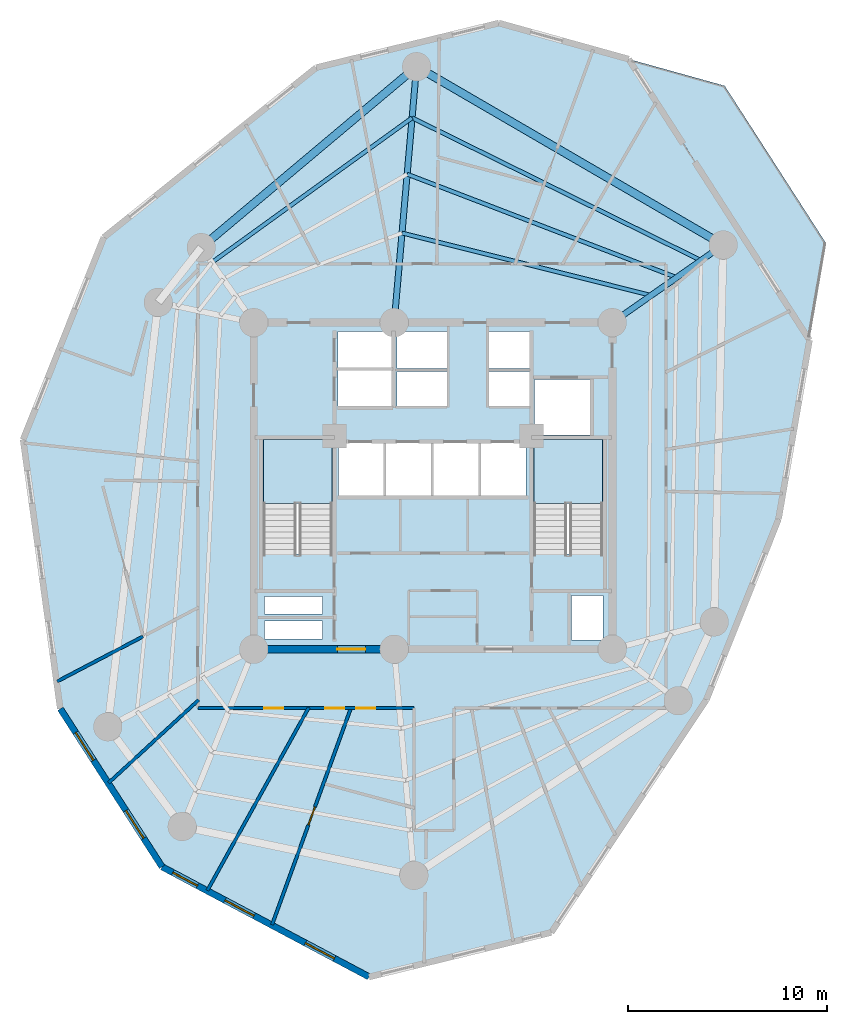
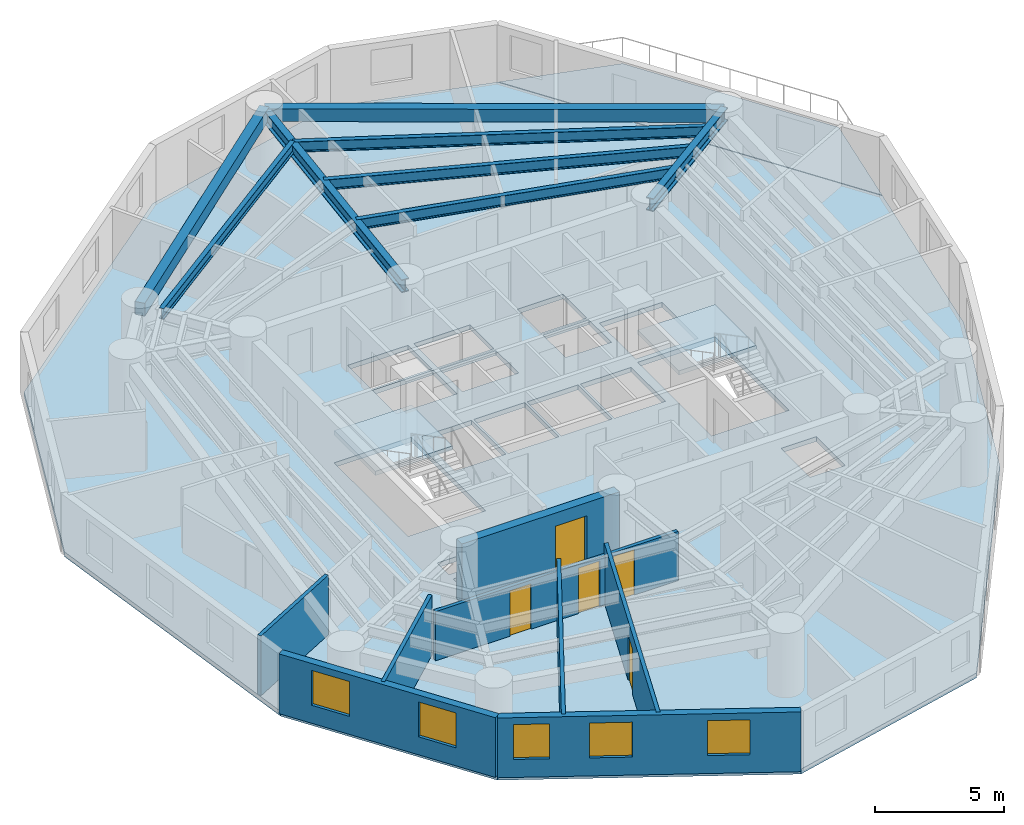
# One storey, part 2 of 8: 8 beams, 8 walls, 5 doors, 5 windows, 4 slabs, 10 openings, 2 elements without a shape of their own.
"""IFC4 building model written with IfcOpenShell, lengths in metres."""

from ifc_helpers import new_model, si_unit, direction, frame, frame_2d, origin, origin_with_axes, origin_2d, place, context, subcontext, project, spatial, polyline, rectangle, i_section, outline, extrude, source, transform, mapped, material, layer, layer_set, material_profile, profile_set, type_object, element, fill, aggregate, save


model = new_model("IFC4")

# Units and contexts
model_context = context("Model", 3, precision=1e-05, world=origin(), true_north=direction((0.0, 1.0)))
body_context = subcontext(model_context, "Body", "Model", "MODEL_VIEW")
ifc_project = project(units=[si_unit("LENGTHUNIT", "METRE"), si_unit("AREAUNIT", "SQUARE_METRE"), si_unit("VOLUMEUNIT", "CUBIC_METRE"), si_unit("PLANEANGLEUNIT", "RADIAN"), si_unit("MASSUNIT", "GRAM", prefix="KILO")], contexts=[model_context])

# Site, building, storey
site_placement = place(None, origin())
site = spatial("IfcSite", under=ifc_project, at=site_placement, CompositionType="ELEMENT")
building_placement = place(site_placement, origin())
building = spatial("IfcBuilding", under=site, at=building_placement, Name="Karkom Vertical University and Central Library", CompositionType="ELEMENT")
storey_placement = place(building_placement, frame((0.0, 0.0, 132.800048828125)))
storey = spatial("IfcBuildingStorey", under=building, at=storey_placement, Name="L37", CompositionType="ELEMENT", Elevation=132.800048828125)

# Beams
ifc_material_1 = material(Name="Precast concrete C45/55", Category="concrete")
ifc_material_profile_1 = material_profile(ifc_material_1, rectangle(XDim=0.39990234375, YDim=0.60009765625, at=origin_2d()), Name="SPB-400x600")
ifc_profile_set_1 = profile_set([ifc_material_profile_1], Name="Precast concrete C45/55")
beam_type_1 = type_object("IfcBeamType", Name="STR-BM-SP-1", PredefinedType="SPANDREL", material=ifc_profile_set_1)
shared_shape_1 = source(origin_with_axes(), body_context, "Body", "SweptSolid", [
    extrude(rectangle(XDim=0.39990234375, YDim=0.60009765625, at=origin_2d()), origin(), (0.0, 0.0, 1.0), 17.808837890625),
])
beam_1_placement = place(storey_placement, frame((43.070068359375, 38.60009765625, 2.52490234375), z_axis=(-0.864512866362, 0.502610688202, 0.0), x_axis=(-0.502610688202, -0.864512866362, 0.0)))
element("IfcBeam", 1, at=beam_1_placement, inside=storey, type_object=beam_type_1, Name="Level 37 Perimeter Spandrel Beam 02", PredefinedType="SPANDREL", context=body_context, shape_type="MappedRepresentation", body=[
    mapped(shared_shape_1, transform((0.0, 0.0, 0.0), scale=1.0)),
])
shared_shape_2 = source(origin_with_axes(), body_context, "Body", "SweptSolid", [
    extrude(rectangle(XDim=0.39990234375, YDim=0.60009765625, at=origin_2d()), origin(), (0.0, 0.0, 1.0), 14.120849609375),
])
beam_2_placement = place(storey_placement, frame((27.674072265625, 47.551025390625, 2.52490234375), z_axis=(-0.765672847866, -0.643230199883, 0.0), x_axis=(0.643230199883, -0.765672847866, 0.0)))
element("IfcBeam", 2, at=beam_2_placement, inside=storey, type_object=beam_type_1, Name="Level 37 Perimeter Spandrel Beam 03", PredefinedType="SPANDREL", context=body_context, shape_type="MappedRepresentation", body=[
    mapped(shared_shape_2, transform((0.0, 0.0, 0.0), scale=1.0)),
])
ifc_material_2 = material(Name="Steel S355", Category="steel")
ifc_material_profile_2 = material_profile(ifc_material_2, i_section(OverallWidth=0.199951171875, OverallDepth=0.5, WebThickness=0.01025390625, FlangeThickness=0.01611328125, FilletRadius=0.02099609375, at=origin_2d()), Name="IPE 500")
ifc_profile_set_2 = profile_set([ifc_material_profile_2], Name="Steel S355")
beam_type_2 = type_object("IfcBeamType", Name="STR-BM-SB-IPE500", PredefinedType="BEAM", material=ifc_profile_set_2)
shared_shape_3 = source(origin_with_axes(), body_context, "Body", "SweptSolid", [
    extrude(i_section(OverallWidth=0.199951171875, OverallDepth=0.5, WebThickness=0.01025390625, FlangeThickness=0.01611328125, FilletRadius=0.02099609375, at=origin_2d()), origin(), (0.0, 0.0, 1.0), 12.892578125),
])
beam_3_placement = place(storey_placement, frame((39.449462890625, 36.06494140625, 2.574951171875), z_axis=(-0.970023194321, 0.243012350468, 0.0), x_axis=(-0.243012350468, -0.970023194321, 0.0)))
element("IfcBeam", 3, at=beam_3_placement, inside=storey, type_object=beam_type_2, Name="Level 37 Secondary Composite Floor Beam 1.02", PredefinedType="BEAM", context=body_context, shape_type="MappedRepresentation", body=[
    mapped(shared_shape_3, transform((0.0, 0.0, 0.0), scale=1.0)),
])
shared_shape_4 = source(origin_with_axes(), body_context, "Body", "SweptSolid", [
    extrude(i_section(OverallWidth=0.199951171875, OverallDepth=0.5, WebThickness=0.01025390625, FlangeThickness=0.01611328125, FilletRadius=0.02099609375, at=origin_2d()), origin(), (0.0, 0.0, 1.0), 14.49072265625),
])
beam_4_placement = place(storey_placement, frame((40.730712890625, 36.9619140625, 2.574951171875), z_axis=(-0.93361673171, 0.35827335691, 0.0), x_axis=(-0.35827335691, -0.93361673171, 0.0)))
element("IfcBeam", 4, at=beam_4_placement, inside=storey, type_object=beam_type_2, Name="Level 37 Secondary Composite Floor Beam 2.02", PredefinedType="BEAM", context=body_context, shape_type="MappedRepresentation", body=[
    mapped(shared_shape_4, transform((0.0, 0.0, 0.0), scale=1.0)),
])
shared_shape_5 = source(origin_with_axes(), body_context, "Body", "SweptSolid", [
    extrude(i_section(OverallWidth=0.199951171875, OverallDepth=0.5, WebThickness=0.01025390625, FlangeThickness=0.01611328125, FilletRadius=0.02099609375, at=origin_2d()), origin(), (0.0, 0.0, 1.0), 16.177978515625),
])
beam_5_placement = place(storey_placement, frame((41.9560546875, 37.820068359375, 2.574951171875), z_axis=(-0.896709262653, 0.442620038263, 0.0), x_axis=(-0.442620038263, -0.896709262653, 0.0)))
element("IfcBeam", 5, at=beam_5_placement, inside=storey, type_object=beam_type_2, Name="Level 37 Secondary Composite Floor Beam 3.02", PredefinedType="BEAM", context=body_context, shape_type="MappedRepresentation", body=[
    mapped(shared_shape_5, transform((0.0, 0.0, 0.0), scale=1.0)),
])
shared_shape_6 = source(origin_with_axes(), body_context, "Body", "SweptSolid", [
    extrude(i_section(OverallWidth=0.199951171875, OverallDepth=0.5, WebThickness=0.01025390625, FlangeThickness=0.01611328125, FilletRadius=0.02099609375, at=origin_2d()), origin(), (0.0, 0.0, 1.0), 12.409423828125),
])
beam_6_placement = place(storey_placement, frame((27.44921875, 44.980712890625, 2.574951171875), z_axis=(-0.810636686292, -0.585549453793, 0.0), x_axis=(0.585549453793, -0.810636686292, 0.0)))
element("IfcBeam", 6, at=beam_6_placement, inside=storey, type_object=beam_type_2, Name="Level 37 Secondary Composite Floor Beam 3.03", PredefinedType="BEAM", context=body_context, shape_type="MappedRepresentation", body=[
    mapped(shared_shape_6, transform((0.0, 0.0, 0.0), scale=1.0)),
])
ifc_material_profile_3 = material_profile(ifc_material_2, i_section(OverallWidth=0.300048828125, OverallDepth=0.60009765625, WebThickness=0.015380859375, FlangeThickness=0.030029296875, FilletRadius=0.027099609375, at=origin_2d()), Name="HE 600 B")
ifc_profile_set_3 = profile_set([ifc_material_profile_3], Name="Steel S355")
beam_type_3 = type_object("IfcBeamType", Name="STR-BM-SB-HE600", PredefinedType="USERDEFINED", material=ifc_profile_set_3)
shared_shape_7 = source(origin_with_axes(), body_context, "Body", "SweptSolid", [
    extrude(i_section(OverallWidth=0.300048828125, OverallDepth=0.60009765625, WebThickness=0.015380859375, FlangeThickness=0.030029296875, FilletRadius=0.027099609375, at=origin_2d()), origin(), (0.0, 0.0, 1.0), 6.7998046875),
])
beam_7_placement = place(storey_placement, frame((37.5, 34.699951171875, 2.52490234375), z_axis=(0.819156008334, 0.573570775066, 0.0), x_axis=(-0.573570775066, 0.819156008334, 0.0)))
element("IfcBeam", 7, at=beam_7_placement, inside=storey, type_object=beam_type_3, Name="Level 37 Radial Frame Girder 02", ObjectType="GIRDER", PredefinedType="USERDEFINED", context=body_context, shape_type="MappedRepresentation", body=[
    mapped(shared_shape_7, transform((0.0, 0.0, 0.0), scale=1.0)),
])
shared_shape_8 = source(origin_with_axes(), body_context, "Body", "SweptSolid", [
    extrude(i_section(OverallWidth=0.300048828125, OverallDepth=0.60009765625, WebThickness=0.015380859375, FlangeThickness=0.030029296875, FilletRadius=0.027099609375, at=origin_2d()), origin(), (0.0, 0.0, 1.0), 12.900146484375),
])
beam_8_placement = place(storey_placement, frame((26.550048828125, 34.699951171875, 2.52490234375), z_axis=(0.087132673751, 0.996196716098, 0.0), x_axis=(-0.996196716098, 0.087132673751, 0.0)))
element("IfcBeam", 8, at=beam_8_placement, inside=storey, type_object=beam_type_3, Name="Level 37 Radial Frame Girder 03", ObjectType="GIRDER", PredefinedType="USERDEFINED", context=body_context, shape_type="MappedRepresentation", body=[
    mapped(shared_shape_8, transform((0.0, 0.0, 0.0), scale=1.0)),
])

# Stair, slab
ifc_material_3 = material(Name="Concrete C45/55", Category="concrete")
stair_type = type_object("IfcStairType", Name="INT-STR-ST-MAIN", PredefinedType="HALF_TURN_STAIR", material=ifc_material_3)
stair_1_placement = place(storey_placement, origin())
stair_1 = element("IfcStair", 9, at=stair_1_placement, inside=storey, type_object=stair_type, Name="Level 37 Tower Protected Exit Stair ST-1", PredefinedType="HALF_TURN_STAIR")
ifc_layer_1 = layer(ifc_material_3, 0.199951171875)
ifc_layer_set_1 = layer_set([ifc_layer_1], Name="Concrete C45/55")
slab_type_1 = type_object("IfcSlabType", Name="INT-SLB-LANDING", PredefinedType="LANDING", material=ifc_layer_set_1)
slab_1_placement = place(storey_placement, frame((0.0, 0.0, 1.324951171875)))
slab_1 = element("IfcSlab", 10, at=slab_1_placement, type_object=slab_type_1, Name="ST-1 landing 1", PredefinedType="LANDING", context=body_context, shape_type="SweptSolid", body=[
    extrude(outline(polyline([(23.43994140625, 25.6298828125), (23.43994140625, 28.820068359375), (19.97998046875, 28.820068359375), (19.97998046875, 25.6298828125), (23.43994140625, 25.6298828125)])), origin(), (0.0, 0.0, 1.0), 0.199951171875),
])
aggregate(stair_1, [slab_1])

stair_2_placement = place(storey_placement, origin())
stair_2 = element("IfcStair", 11, at=stair_2_placement, inside=storey, type_object=stair_type, Name="Level 37 Tower Protected Exit Stair ST-2", PredefinedType="HALF_TURN_STAIR")
slab_2_placement = place(storey_placement, frame((0.0, 0.0, 1.324951171875)))
slab_2 = element("IfcSlab", 12, at=slab_2_placement, type_object=slab_type_1, Name="ST-2 landing 1", PredefinedType="LANDING", context=body_context, shape_type="SweptSolid", body=[
    extrude(outline(polyline([(37.02001953125, 25.6298828125), (37.02001953125, 28.820068359375), (33.56005859375, 28.820068359375), (33.56005859375, 25.6298828125), (37.02001953125, 25.6298828125)])), origin(), (0.0, 0.0, 1.0), 0.199951171875),
])
aggregate(stair_2, [slab_2])

# Slabs
ifc_layer_2 = layer(ifc_material_3, 0.22509765625)
ifc_layer_set_2 = layer_set([ifc_layer_2], Name="Concrete C45/55")
slab_type_2 = type_object("IfcSlabType", Name="STR-SLB-FLR-225", PredefinedType="FLOOR", material=ifc_layer_set_2)
slab_3_placement = place(storey_placement, frame((0.0, 0.0, -0.22509765625)))
element("IfcSlab", 13, at=slab_3_placement, inside=storey, type_object=slab_type_2, Name="Level 37 Tower Structural Floor Slab", PredefinedType="FLOOR", context=body_context, shape_type="SweptSolid", body=[
    extrude(outline(polyline([(7.922607421875, 28.828369140625), (9.7890625, 15.31005859375), (14.896728515625, 7.373291015625), (25.284912109375, 1.85009765625), (34.4345703125, 4.083251953125), (42.223876953125, 15.767333984375), (45.84228515625, 24.832275390625), (47.399658203125, 33.82080078125), (38.321044921875, 47.927490234375), (31.806884765625, 49.73681640625), (22.637451171875, 47.498779296875), (11.975341796875, 38.981201171875), (7.922607421875, 28.828369140625)]), holes=[polyline([(19.97998046875, 23.0849609375), (23.43994140625, 23.0849609375), (23.43994140625, 28.820068359375), (19.97998046875, 28.820068359375), (19.97998046875, 23.0849609375)]), polyline([(33.56005859375, 23.0849609375), (37.02001953125, 23.0849609375), (37.02001953125, 28.820068359375), (33.56005859375, 28.820068359375), (33.56005859375, 23.0849609375)]), polyline([(23.75, 26.0), (26.030029296875, 26.0), (26.030029296875, 28.64990234375), (23.75, 28.64990234375), (23.75, 26.0)]), polyline([(26.1298828125, 26.0), (28.409912109375, 26.0), (28.409912109375, 28.64990234375), (26.1298828125, 28.64990234375), (26.1298828125, 26.0)]), polyline([(28.510009765625, 26.0), (30.7900390625, 26.0), (30.7900390625, 28.64990234375), (28.510009765625, 28.64990234375), (28.510009765625, 26.0)]), polyline([(30.889892578125, 26.0), (33.169921875, 26.0), (33.169921875, 28.64990234375), (30.889892578125, 28.64990234375), (30.889892578125, 26.0)]), polyline([(26.679931640625, 30.5), (29.199951171875, 30.5), (29.199951171875, 32.25), (26.679931640625, 32.25), (26.679931640625, 30.5)]), polyline([(26.679931640625, 32.39990234375), (29.199951171875, 32.39990234375), (29.199951171875, 34.25), (26.679931640625, 34.25), (26.679931640625, 32.39990234375)]), polyline([(31.300048828125, 30.5), (33.35009765625, 30.5), (33.35009765625, 32.25), (31.300048828125, 32.25), (31.300048828125, 30.5)]), polyline([(31.300048828125, 32.39990234375), (33.35009765625, 32.39990234375), (33.35009765625, 34.25), (31.300048828125, 34.25), (31.300048828125, 32.39990234375)]), polyline([(23.719970703125, 30.47998046875), (26.429931640625, 30.47998046875), (26.429931640625, 32.320068359375), (23.719970703125, 32.320068359375), (23.719970703125, 30.47998046875)]), polyline([(23.719970703125, 32.419921875), (26.429931640625, 32.419921875), (26.429931640625, 34.260009765625), (23.719970703125, 34.260009765625), (23.719970703125, 32.419921875)]), polyline([(33.60009765625, 29.050048828125), (36.39990234375, 29.050048828125), (36.39990234375, 31.85009765625), (33.60009765625, 31.85009765625), (33.60009765625, 29.050048828125)]), polyline([(20.050048828125, 18.820068359375), (22.949951171875, 18.820068359375), (22.949951171875, 19.719970703125), (20.050048828125, 19.719970703125), (20.050048828125, 18.820068359375)]), polyline([(20.050048828125, 20.06005859375), (22.949951171875, 20.06005859375), (22.949951171875, 20.9599609375), (20.050048828125, 20.9599609375), (20.050048828125, 20.06005859375)]), polyline([(35.4599609375, 18.760009765625), (37.0400390625, 18.760009765625), (37.0400390625, 21.010009765625), (35.4599609375, 21.010009765625), (35.4599609375, 18.760009765625)])]), origin(), (0.0, 0.0, 1.0), 0.22509765625),
])
ifc_layer_3 = layer(ifc_material_3, 0.199951171875)
ifc_layer_set_3 = layer_set([ifc_layer_3], Name="Concrete C45/55")
slab_type_3 = type_object("IfcSlabType", Name="STR-SLB-PLN-260", PredefinedType="USERDEFINED", material=ifc_layer_set_3)
slab_4_placement = place(storey_placement, frame((0.0, 0.0, -0.22509765625)))
element("IfcSlab", 14, at=slab_4_placement, inside=storey, type_object=slab_type_3, Name="Level 37 Spiral Sky Garden Planter Terrace", ObjectType="PLANTER", PredefinedType="USERDEFINED", context=body_context, shape_type="SweptSolid", body=[
    extrude(outline(polyline([(43.142822265625, 46.58837890625), (48.23974609375, 38.668701171875), (47.40478515625, 33.849853515625), (38.35009765625, 47.919677734375), (43.142822265625, 46.58837890625)])), origin(), (0.0, 0.0, 1.0), 0.22509765625),
])

# Wall, openings, windows
ifc_material_4 = material(Name="Brick-faced precast concrete C45/55", Category="masonry")
ifc_layer_4 = layer(ifc_material_4, 0.320068359375)
ifc_layer_set_4 = layer_set([ifc_layer_4], Name="Brick-faced precast concrete C45/55")
wall_type_1 = type_object("IfcWallType", Name="ENV-WL-BRK-320", PredefinedType="SOLIDWALL", material=ifc_layer_set_4)
wall_1_placement = place(storey_placement, frame((9.7890625, 15.31005859375, 0.0), z_axis=(0.0, 0.0, 1.0), x_axis=(0.541166732634, -0.840915315291, 0.0)))
wall_1 = element("IfcWall", 15, at=wall_1_placement, inside=storey, type_object=wall_type_1, Name="Level 37 Brick-Faced Precast Facade Wall 02", PredefinedType="SOLIDWALL", context=body_context, shape_type="SweptSolid", body=[
    extrude(rectangle(XDim=9.438232421875, YDim=0.320068359375, at=frame_2d((4.71923828125, 0.0))), origin(), (0.0, 0.0, 1.0), 2.824951171875),
])
opening_1_placement = place(wall_1_placement, frame((1.4208984375, 0.0, 0.85009765625)))
opening_1 = element("IfcOpeningElement", 16, at=opening_1_placement, cuts=wall_1, Name="Opening WN-06", PredefinedType="OPENING", context=body_context, shape_type="SweptSolid", body=[
    extrude(rectangle(XDim=1.64990234375, YDim=1.64990234375, at=frame_2d((0.824951171875, 0.824951171875))), frame((0.0, 0.169921875, 0.0), z_axis=(0.0, -1.0, 0.0), x_axis=(1.0, 0.0, 0.0)), (0.0, 0.0, 1.0), 0.340087890625),
])
opening_2_placement = place(wall_1_placement, frame((6.080078125, 0.0, 0.85009765625)))
opening_2 = element("IfcOpeningElement", 17, at=opening_2_placement, cuts=wall_1, Name="Opening WN-06", PredefinedType="OPENING", context=body_context, shape_type="SweptSolid", body=[
    extrude(rectangle(XDim=1.64990234375, YDim=1.64990234375, at=frame_2d((0.824951171875, 0.824951171875))), frame((0.0, 0.169921875, 0.0), z_axis=(0.0, -1.0, 0.0), x_axis=(1.0, 0.0, 0.0)), (0.0, 0.0, 1.0), 0.340087890625),
])
ifc_material_5 = material(Name="Aluminium thermal-break frame with solar-control IGU", Category="aluminium")
window_type_1 = type_object("IfcWindowType", Name="ENV-WIN-WN-06", PartitioningType="SINGLE_PANEL", PredefinedType="WINDOW", material=ifc_material_5)
shared_shape_9 = source(origin_with_axes(), body_context, "Body", "SweptSolid", [
    extrude(rectangle(XDim=1.64990234375, YDim=1.64990234375, at=frame_2d((0.824951171875, 0.824951171875))), frame((0.0, 0.030029296875, 0.0), z_axis=(0.0, -1.0, 0.0), x_axis=(1.0, 0.0, 0.0)), (0.0, 0.0, 1.0), 0.06005859375),
])
window_1_placement = place(opening_1_placement, origin())
window_1 = element("IfcWindow", 18, at=window_1_placement, inside=storey, type_object=window_type_1, Name="Level 37 Punched Window 2.1", OverallHeight=1.64990234375, OverallWidth=1.64990234375, PartitioningType="SINGLE_PANEL", PredefinedType="WINDOW", context=body_context, shape_type="MappedRepresentation", body=[
    mapped(shared_shape_9, transform((0.0, 0.0, 0.0), scale=1.0)),
])
fill(opening_1, window_1)
window_2_placement = place(opening_2_placement, origin())
window_2 = element("IfcWindow", 19, at=window_2_placement, inside=storey, type_object=window_type_1, Name="Level 37 Punched Window 2.2", OverallHeight=1.64990234375, OverallWidth=1.64990234375, PartitioningType="SINGLE_PANEL", PredefinedType="WINDOW", context=body_context, shape_type="MappedRepresentation", body=[
    mapped(shared_shape_9, transform((0.0, 0.0, 0.0), scale=1.0)),
])
fill(opening_2, window_2)

wall_2_placement = place(storey_placement, frame((14.896728515625, 7.373291015625, 0.0), z_axis=(0.0, 0.0, 1.0), x_axis=(0.882958227075, -0.469451562188, 0.0)))
wall_2 = element("IfcWall", 20, at=wall_2_placement, inside=storey, type_object=wall_type_1, Name="Level 37 Brick-Faced Precast Facade Wall 03", PredefinedType="SOLIDWALL", context=body_context, shape_type="SweptSolid", body=[
    extrude(rectangle(XDim=11.76513671875, YDim=0.320068359375, at=frame_2d((5.882568359375, 0.0))), origin(), (0.0, 0.0, 1.0), 2.824951171875),
])
opening_3_placement = place(wall_2_placement, frame((0.612548828125, 0.0, 0.85009765625)))
opening_3 = element("IfcOpeningElement", 21, at=opening_3_placement, cuts=wall_2, Name="Opening WN-07", PredefinedType="OPENING", context=body_context, shape_type="SweptSolid", body=[
    extrude(rectangle(XDim=1.39990234375, YDim=1.64990234375, at=frame_2d((0.699951171875, 0.824951171875))), frame((0.0, 0.169921875, 0.0), z_axis=(0.0, -1.0, 0.0), x_axis=(1.0, 0.0, 0.0)), (0.0, 0.0, 1.0), 0.340087890625),
])
opening_4_placement = place(wall_2_placement, frame((3.5751953125, 0.0, 0.85009765625)))
opening_4 = element("IfcOpeningElement", 22, at=opening_4_placement, cuts=wall_2, Name="Opening WN-06", PredefinedType="OPENING", context=body_context, shape_type="SweptSolid", body=[
    extrude(rectangle(XDim=1.64990234375, YDim=1.64990234375, at=frame_2d((0.824951171875, 0.824951171875))), frame((0.0, 0.169921875, 0.0), z_axis=(0.0, -1.0, 0.0), x_axis=(1.0, 0.0, 0.0)), (0.0, 0.0, 1.0), 0.340087890625),
])
opening_5_placement = place(wall_2_placement, frame((8.145263671875, 0.0, 0.85009765625)))
opening_5 = element("IfcOpeningElement", 23, at=opening_5_placement, cuts=wall_2, Name="Opening WN-06", PredefinedType="OPENING", context=body_context, shape_type="SweptSolid", body=[
    extrude(rectangle(XDim=1.64990234375, YDim=1.64990234375, at=frame_2d((0.824951171875, 0.824951171875))), frame((0.0, 0.169921875, 0.0), z_axis=(0.0, -1.0, 0.0), x_axis=(1.0, 0.0, 0.0)), (0.0, 0.0, 1.0), 0.340087890625),
])
window_3_placement = place(opening_4_placement, origin())
window_3 = element("IfcWindow", 24, at=window_3_placement, inside=storey, type_object=window_type_1, Name="Level 37 Punched Window 3.2", OverallHeight=1.64990234375, OverallWidth=1.64990234375, PartitioningType="SINGLE_PANEL", PredefinedType="WINDOW", context=body_context, shape_type="MappedRepresentation", body=[
    mapped(shared_shape_9, transform((0.0, 0.0, 0.0), scale=1.0)),
])
fill(opening_4, window_3)
window_4_placement = place(opening_5_placement, origin())
window_4 = element("IfcWindow", 25, at=window_4_placement, inside=storey, type_object=window_type_1, Name="Level 37 Punched Window 3.3", OverallHeight=1.64990234375, OverallWidth=1.64990234375, PartitioningType="SINGLE_PANEL", PredefinedType="WINDOW", context=body_context, shape_type="MappedRepresentation", body=[
    mapped(shared_shape_9, transform((0.0, 0.0, 0.0), scale=1.0)),
])
fill(opening_5, window_4)
window_type_2 = type_object("IfcWindowType", Name="ENV-WIN-WN-07", PartitioningType="SINGLE_PANEL", PredefinedType="WINDOW", material=ifc_material_5)
shared_shape_10 = source(origin_with_axes(), body_context, "Body", "SweptSolid", [
    extrude(rectangle(XDim=1.39990234375, YDim=1.64990234375, at=frame_2d((0.699951171875, 0.824951171875))), frame((0.0, 0.030029296875, 0.0), z_axis=(0.0, -1.0, 0.0), x_axis=(1.0, 0.0, 0.0)), (0.0, 0.0, 1.0), 0.06005859375),
])
window_5_placement = place(opening_3_placement, origin())
window_5 = element("IfcWindow", 26, at=window_5_placement, inside=storey, type_object=window_type_2, Name="Level 37 Punched Window 3.1", OverallHeight=1.64990234375, OverallWidth=1.39990234375, PartitioningType="SINGLE_PANEL", PredefinedType="WINDOW", context=body_context, shape_type="MappedRepresentation", body=[
    mapped(shared_shape_10, transform((0.0, 0.0, 0.0), scale=1.0)),
])
fill(opening_3, window_5)

# Wall, opening, door
ifc_material_6 = material(Name="Insulated metal-stud drywall 160mm", Category="gypsum")
ifc_layer_5 = layer(ifc_material_6, 0.159912109375)
ifc_layer_set_5 = layer_set([ifc_layer_5], Name="Insulated metal-stud drywall 160mm")
wall_type_2 = type_object("IfcWallType", Name="INT-WL-COR-160", PredefinedType="PARTITIONING", material=ifc_layer_set_5)
wall_3_placement = place(storey_placement, frame((24.38916015625, 15.378173828125, 0.0), z_axis=(0.0, 0.0, 1.0), x_axis=(-0.341952384899, -0.93971728007, 0.0)))
wall_3 = element("IfcWall", 27, at=wall_3_placement, inside=storey, type_object=wall_type_2, Name="Level 37 Interior Partition Wall L37-PW-008", PredefinedType="PARTITIONING", context=body_context, shape_type="SweptSolid", body=[
    extrude(rectangle(XDim=11.61181640625, YDim=0.159912109375, at=frame_2d((5.805908203125, 0.0))), origin(), (0.0, 0.0, 1.0), 2.824951171875),
])
opening_6_placement = place(wall_3_placement, frame((5.3134765625, 0.0, 0.0)))
opening_6 = element("IfcOpeningElement", 28, at=opening_6_placement, cuts=wall_3, Name="Opening FD-RM2", PredefinedType="OPENING", context=body_context, shape_type="SweptSolid", body=[
    extrude(rectangle(XDim=0.9599609375, YDim=2.14990234375, at=frame_2d((0.47998046875, 1.074951171875))), frame((0.0, 0.08984375, 0.0), z_axis=(0.0, -1.0, 0.0), x_axis=(1.0, 0.0, 0.0)), (0.0, 0.0, 1.0), 0.179931640625),
])
ifc_material_7 = material(Name="Fire-rated oak veneer door", Category="wood")
door_type_1 = type_object("IfcDoorType", Name="INT-DR-FRM2", OperationType="NOTDEFINED", PredefinedType="DOOR", material=ifc_material_7)
shared_shape_11 = source(origin_with_axes(), body_context, "Body", "SweptSolid", [
    extrude(rectangle(XDim=0.9599609375, YDim=2.14990234375, at=frame_2d((0.47998046875, 1.074951171875))), frame((0.0, 0.02490234375, 0.0), z_axis=(0.0, -1.0, 0.0), x_axis=(1.0, 0.0, 0.0)), (0.0, 0.0, 1.0), 0.050048828125),
])
door_1_placement = place(opening_6_placement, origin())
door_1 = element("IfcDoor", 29, at=door_1_placement, inside=storey, type_object=door_type_1, Name="Level 37 Room Entry Door 060", OperationType="SINGLE_SWING_RIGHT", OverallHeight=2.14990234375, OverallWidth=0.9599609375, PredefinedType="DOOR", context=body_context, shape_type="MappedRepresentation", body=[
    mapped(shared_shape_11, transform((0.0, 0.0, 0.0), scale=1.0)),
])
fill(opening_6, door_1)

# Wall, openings, doors
wall_4_placement = place(storey_placement, frame((27.550048828125, 15.35009765625, 0.0), z_axis=(0.0, 0.0, 1.0), x_axis=(-1.0, 0.0, 0.0)))
wall_4 = element("IfcWall", 30, at=wall_4_placement, inside=storey, type_object=wall_type_2, Name="Level 37 Interior Partition Wall L37-CORW-CW-001", PredefinedType="PARTITIONING", context=body_context, shape_type="SweptSolid", body=[
    extrude(rectangle(XDim=10.85009765625, YDim=0.159912109375, at=frame_2d((5.425048828125, 0.0))), origin(), (0.0, 0.0, 1.0), 2.324951171875),
])
opening_7_placement = place(wall_4_placement, frame((6.577392578125, 0.0, 0.0)))
opening_7 = element("IfcOpeningElement", 31, at=opening_7_placement, cuts=wall_4, Name="Opening D-RM1", PredefinedType="OPENING", context=body_context, shape_type="SweptSolid", body=[
    extrude(rectangle(XDim=0.949951171875, YDim=2.14990234375, at=frame_2d((0.47509765625, 1.074951171875))), frame((0.0, 0.08984375, 0.0), z_axis=(0.0, -1.0, 0.0), x_axis=(1.0, 0.0, 0.0)), (0.0, 0.0, 1.0), 0.179931640625),
])
opening_8_placement = place(wall_4_placement, frame((3.512451171875, 0.0, 0.0)))
opening_8 = element("IfcOpeningElement", 32, at=opening_8_placement, cuts=wall_4, Name="Opening D-RM1", PredefinedType="OPENING", context=body_context, shape_type="SweptSolid", body=[
    extrude(rectangle(XDim=0.949951171875, YDim=2.14990234375, at=frame_2d((0.47509765625, 1.074951171875))), frame((0.0, 0.08984375, 0.0), z_axis=(0.0, -1.0, 0.0), x_axis=(1.0, 0.0, 0.0)), (0.0, 0.0, 1.0), 0.179931640625),
])
opening_9_placement = place(wall_4_placement, frame((1.947509765625, 0.0, 0.0)))
opening_9 = element("IfcOpeningElement", 33, at=opening_9_placement, cuts=wall_4, Name="Opening D-RM1", PredefinedType="OPENING", context=body_context, shape_type="SweptSolid", body=[
    extrude(rectangle(XDim=0.949951171875, YDim=2.14990234375, at=frame_2d((0.47509765625, 1.074951171875))), frame((0.0, 0.08984375, 0.0), z_axis=(0.0, -1.0, 0.0), x_axis=(1.0, 0.0, 0.0)), (0.0, 0.0, 1.0), 0.179931640625),
])
ifc_material_8 = material(Name="Solid-core oak veneer door", Category="wood")
door_type_2 = type_object("IfcDoorType", Name="INT-DR-RM1", OperationType="NOTDEFINED", PredefinedType="DOOR", material=ifc_material_8)
shared_shape_12 = source(origin_with_axes(), body_context, "Body", "SweptSolid", [
    extrude(rectangle(XDim=0.949951171875, YDim=2.14990234375, at=frame_2d((0.47509765625, 1.074951171875))), frame((0.0, 0.02490234375, 0.0), z_axis=(0.0, -1.0, 0.0), x_axis=(1.0, 0.0, 0.0)), (0.0, 0.0, 1.0), 0.050048828125),
])
door_2_placement = place(opening_7_placement, origin())
door_2 = element("IfcDoor", 34, at=door_2_placement, inside=storey, type_object=door_type_2, Name="Level 37 Room Entry Door 030", OperationType="SINGLE_SWING_RIGHT", OverallHeight=2.14990234375, OverallWidth=0.949951171875, PredefinedType="DOOR", context=body_context, shape_type="MappedRepresentation", body=[
    mapped(shared_shape_12, transform((0.0, 0.0, 0.0), scale=1.0)),
])
fill(opening_7, door_2)
door_3_placement = place(opening_8_placement, origin())
door_3 = element("IfcDoor", 35, at=door_3_placement, inside=storey, type_object=door_type_2, Name="Level 37 Room Entry Door 040", OperationType="SINGLE_SWING_LEFT", OverallHeight=2.14990234375, OverallWidth=0.949951171875, PredefinedType="DOOR", context=body_context, shape_type="MappedRepresentation", body=[
    mapped(shared_shape_12, transform((0.0, 0.0, 0.0), scale=1.0)),
])
fill(opening_8, door_3)
door_4_placement = place(opening_9_placement, origin())
door_4 = element("IfcDoor", 36, at=door_4_placement, inside=storey, type_object=door_type_2, Name="Level 37 Room Entry Door 050", OperationType="SINGLE_SWING_RIGHT", OverallHeight=2.14990234375, OverallWidth=0.949951171875, PredefinedType="DOOR", context=body_context, shape_type="MappedRepresentation", body=[
    mapped(shared_shape_12, transform((0.0, 0.0, 0.0), scale=1.0)),
])
fill(opening_9, door_4)

# Walls
wall_5_placement = place(storey_placement, frame((22.2646484375, 15.376220703125, 0.0), z_axis=(0.0, 0.0, 1.0), x_axis=(-0.484869000513, -0.874586789485, 0.0)))
element("IfcWall", 37, at=wall_5_placement, inside=storey, type_object=wall_type_2, Name="Level 37 Interior Partition Wall L37-PW-007", PredefinedType="PARTITIONING", context=body_context, shape_type="SweptSolid", body=[
    extrude(rectangle(XDim=10.501953125, YDim=0.159912109375, at=frame_2d((5.2509765625, 0.0))), origin(), (0.0, 0.0, 1.0), 2.824951171875),
])
wall_6_placement = place(storey_placement, frame((16.733154296875, 15.752685546875, 0.0), z_axis=(0.0, 0.0, 1.0), x_axis=(-0.73584309599, -0.677152078992, 0.0)))
element("IfcWall", 38, at=wall_6_placement, inside=storey, type_object=wall_type_2, Name="Level 37 Interior Partition Wall L37-PW-006", PredefinedType="PARTITIONING", context=body_context, shape_type="SweptSolid", body=[
    extrude(rectangle(XDim=6.14404296875, YDim=0.159912109375, at=frame_2d((3.072021484375, 0.0))), origin(), (0.0, 0.0, 1.0), 2.824951171875),
])
wall_7_placement = place(storey_placement, frame((13.9423828125, 18.94189453125, 0.0), z_axis=(0.0, 0.0, 1.0), x_axis=(-0.885814853162, -0.464038840957, 0.0)))
element("IfcWall", 39, at=wall_7_placement, inside=storey, type_object=wall_type_2, Name="Level 37 Interior Partition Wall L37-PW-003", PredefinedType="PARTITIONING", context=body_context, shape_type="SweptSolid", body=[
    extrude(rectangle(XDim=4.869873046875, YDim=0.159912109375, at=frame_2d((2.43505859375, 0.0))), origin(), (0.0, 0.0, 1.0), 2.824951171875),
])

# Wall, opening, door
ifc_material_9 = material(Name="Concrete C50/60", Category="concrete")
ifc_layer_6 = layer(ifc_material_9, 0.39990234375)
ifc_layer_set_6 = layer_set([ifc_layer_6], Name="Concrete C50/60")
wall_type_3 = type_object("IfcWallType", Name="STR-WL-CW-400", PredefinedType="SHEAR", material=ifc_layer_set_6)
wall_8_placement = place(storey_placement, frame((19.5, 18.300048828125, 0.0), z_axis=(0.0, 0.0, 1.0), x_axis=(1.0, 0.0, 0.0)))
wall_8 = element("IfcWall", 40, at=wall_8_placement, inside=storey, type_object=wall_type_3, Name="Level 37 Central Core Shear Wall SW1", PredefinedType="SHEAR", context=body_context, shape_type="SweptSolid", body=[
    extrude(rectangle(XDim=7.050048828125, YDim=0.39990234375, at=frame_2d((3.52490234375, 0.0))), origin(), (0.0, 0.0, 1.0), 2.824951171875),
])
opening_10_placement = place(wall_8_placement, frame((4.199951171875, 0.0, 0.0)))
opening_10 = element("IfcOpeningElement", 41, at=opening_10_placement, cuts=wall_8, Name="Opening FD-CLB", PredefinedType="OPENING", context=body_context, shape_type="SweptSolid", body=[
    extrude(rectangle(XDim=1.39990234375, YDim=2.199951171875, at=frame_2d((0.699951171875, 1.10009765625))), frame((0.0, 0.2099609375, 0.0), z_axis=(0.0, -1.0, 0.0), x_axis=(1.0, 0.0, 0.0)), (0.0, 0.0, 1.0), 0.419921875),
])
ifc_material_10 = material(Name="Painted steel fire door", Category="steel")
door_type_3 = type_object("IfcDoorType", Name="INT-DR-CLB", OperationType="DOUBLE_DOOR_SINGLE_SWING", PredefinedType="DOOR", material=ifc_material_10)
shared_shape_13 = source(origin_with_axes(), body_context, "Body", "SweptSolid", [
    extrude(rectangle(XDim=1.39990234375, YDim=2.199951171875, at=frame_2d((0.699951171875, 1.10009765625))), frame((0.0, 0.02490234375, 0.0), z_axis=(0.0, -1.0, 0.0), x_axis=(1.0, 0.0, 0.0)), (0.0, 0.0, 1.0), 0.050048828125),
])
door_5_placement = place(opening_10_placement, origin())
door_5 = element("IfcDoor", 42, at=door_5_placement, inside=storey, type_object=door_type_3, Name="Level 37 South Core Lobby West Exit Door", OperationType="DOUBLE_DOOR_SINGLE_SWING", OverallHeight=2.199951171875, OverallWidth=1.39990234375, PredefinedType="DOOR", context=body_context, shape_type="MappedRepresentation", body=[
    mapped(shared_shape_13, transform((0.0, 0.0, 0.0), scale=1.0)),
])
fill(opening_10, door_5)

save(model, "model.ifc")
